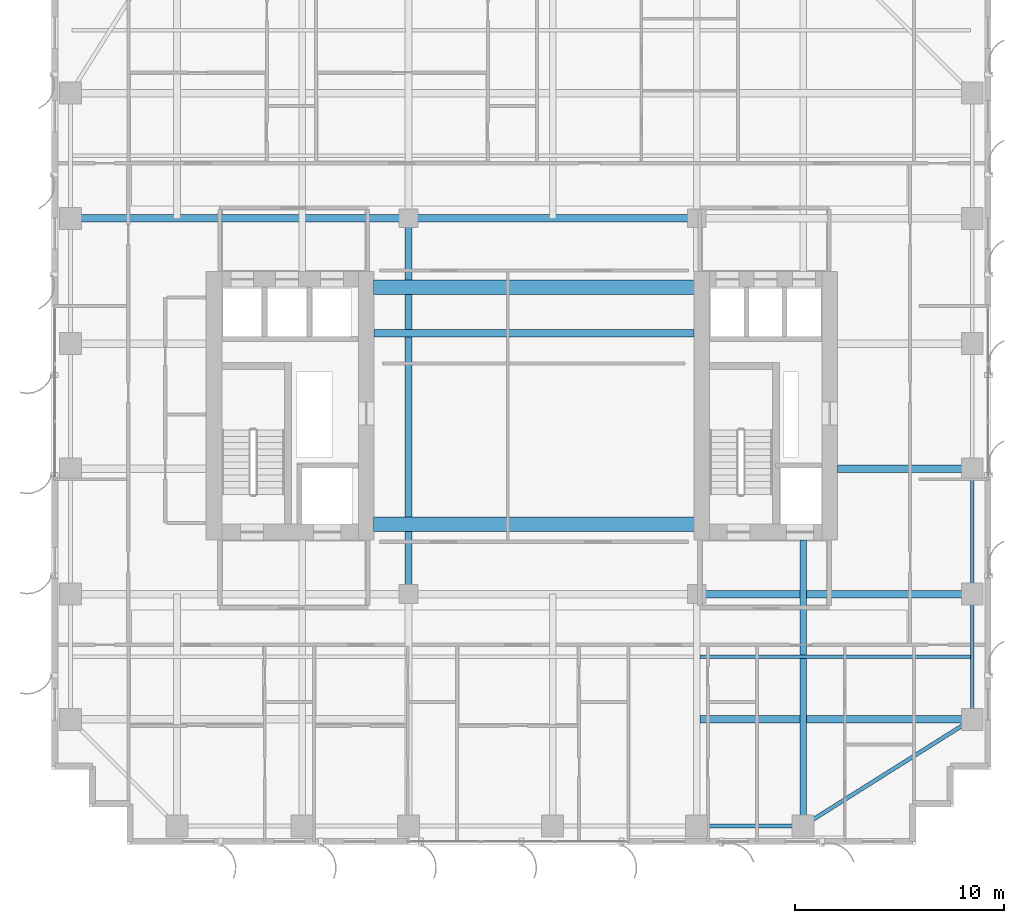
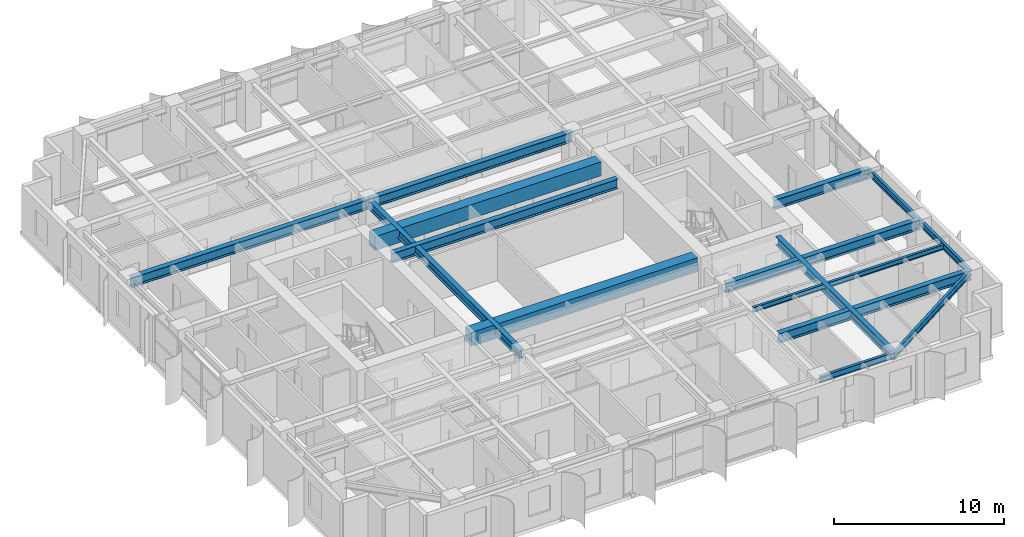
# One storey, part 5 of 22: 15 beams.
"""IFC4 building model written with IfcOpenShell, lengths in metres."""

from ifc_helpers import new_model, si_unit, direction, frame, origin, origin_2d, place, context, subcontext, project, spatial, rectangle, i_section, extrude, source, transform, mapped, material, material_profile, profile_set, type_object, element, save


model = new_model("IFC4")

# Units and contexts
model_context = context("Model", 3, precision=1e-05, world=origin(), true_north=direction((0.0, 1.0)))
body_context = subcontext(model_context, "Body", "Model", "MODEL_VIEW")
ifc_project = project(units=[si_unit("LENGTHUNIT", "METRE"), si_unit("AREAUNIT", "SQUARE_METRE"), si_unit("VOLUMEUNIT", "CUBIC_METRE"), si_unit("PLANEANGLEUNIT", "RADIAN"), si_unit("MASSUNIT", "GRAM", prefix="KILO")], contexts=[model_context])

# Site, building, storey
site_placement = place(None, origin())
site = spatial("IfcSite", under=ifc_project, at=site_placement, CompositionType="ELEMENT")
building_placement = place(site_placement, origin())
building = spatial("IfcBuilding", under=site, at=building_placement, Name="Khoralis Quay Care Tower", CompositionType="ELEMENT")
storey_placement = place(building_placement, frame((0.0, 0.0, 98.10009765625)))
storey = spatial("IfcBuildingStorey", under=building, at=storey_placement, Name="L25", CompositionType="ELEMENT", Elevation=98.10009765625)

# Beams
ifc_material_1 = material(Name="Concrete C80/95", Category="concrete")
ifc_material_profile_1 = material_profile(ifc_material_1, rectangle(XDim=0.699951171875, YDim=1.0, at=origin_2d()), Name="Concrete C80/95")
ifc_profile_set_1 = profile_set([ifc_material_profile_1], Name="Concrete C80/95")
beam_type_1 = type_object("IfcBeamType", Name="CB-RC700X1000", PredefinedType="LINTEL", material=ifc_profile_set_1)
shared_shape_1 = source(origin(), body_context, "Body", "SweptSolid", [
    extrude(rectangle(XDim=0.699951171875, YDim=1.0, at=origin_2d()), origin(), (0.0, 0.0, 1.0), 15.380126953125),
])
for number, where, z_axis, x_axis, name in (
    (1, (15.419921875, 15.35009765625, 2.83984375), (1.0, 0.0, 0.0), (0.0, 1.0, 0.0), "L25 South Core Coupling Lintel"),
    (2, (15.419921875, 26.699951171875, 2.83984375), (1.0, 0.0, 0.0), (0.0, 1.0, 0.0), "L25 North Core Coupling Lintel"),
):
    element("IfcBeam", number, at=place(storey_placement, frame(where, z_axis=z_axis, x_axis=x_axis)), inside=storey, type_object=beam_type_1, Name=name, PredefinedType="LINTEL", context=body_context, shape_type="MappedRepresentation", body=[
        mapped(shared_shape_1, transform((0.0, 0.0, 0.0), scale=1.0)),
    ])
ifc_material_2 = material(Name="Steel S355", Category="steel")
ifc_material_profile_2 = material_profile(ifc_material_2, i_section(OverallWidth=0.18994140625, OverallDepth=0.449951171875, WebThickness=0.009521484375, FlangeThickness=0.0146484375, FilletRadius=0.02099609375, at=origin_2d()), Name="Steel S355")
ifc_profile_set_2 = profile_set([ifc_material_profile_2], Name="Steel S355")
beam_type_2 = type_object("IfcBeamType", Name="BM-IPE450", PredefinedType="SPANDREL", material=ifc_profile_set_2)
shared_shape_2 = source(origin(), body_context, "Body", "SweptSolid", [
    extrude(i_section(OverallWidth=0.18994140625, OverallDepth=0.449951171875, WebThickness=0.009521484375, FlangeThickness=0.0146484375, FilletRadius=0.02099609375, at=origin_2d()), origin(), (0.0, 0.0, 1.0), 6.0),
])
for number, where, z_axis, x_axis, name in (
    (3, (44.10009765625, 6.0, 3.114990234375), (0.0, 1.0, 0.0), (-1.0, 0.0, 0.0), "BM-TSP-L25-16"),
    (4, (44.10009765625, 12.0, 3.114990234375), (0.0, 1.0, 0.0), (-1.0, 0.0, 0.0), "BM-TSP-L25-17"),
):
    element("IfcBeam", number, at=place(storey_placement, frame(where, z_axis=z_axis, x_axis=x_axis)), inside=storey, type_object=beam_type_2, Name=name, PredefinedType="SPANDREL", context=body_context, shape_type="MappedRepresentation", body=[
        mapped(shared_shape_2, transform((0.0, 0.0, 0.0), scale=1.0)),
    ])
shared_shape_3 = source(origin(), body_context, "Body", "SweptSolid", [
    extrude(i_section(OverallWidth=0.18994140625, OverallDepth=0.449951171875, WebThickness=0.009521484375, FlangeThickness=0.0146484375, FilletRadius=0.02099609375, at=origin_2d()), origin(), (0.0, 0.0, 1.0), 5.10009765625),
])
beam_1_placement = place(storey_placement, frame((30.89990234375, 0.89990234375, 3.114990234375), z_axis=(1.0, 0.0, 0.0), x_axis=(0.0, 1.0, 0.0)))
element("IfcBeam", 5, at=beam_1_placement, inside=storey, type_object=beam_type_2, Name="BM-TSP-L25-05", PredefinedType="SPANDREL", context=body_context, shape_type="MappedRepresentation", body=[
    mapped(shared_shape_3, transform((0.0, 0.0, 0.0), scale=1.0)),
])
ifc_material_profile_3 = material_profile(ifc_material_2, i_section(OverallWidth=0.35498046875, OverallDepth=0.695068359375, WebThickness=0.015380859375, FlangeThickness=0.02490234375, FilletRadius=0.02001953125, at=origin_2d()), Name="Steel S355")
ifc_profile_set_3 = profile_set([ifc_material_profile_3], Name="Steel S355")
beam_type_3 = type_object("IfcBeamType", Name="BM-W690X217", PredefinedType="BEAM", material=ifc_profile_set_3)
shared_shape_4 = source(origin(), body_context, "Body", "SweptSolid", [
    extrude(i_section(OverallWidth=0.35498046875, OverallDepth=0.695068359375, WebThickness=0.015380859375, FlangeThickness=0.02490234375, FilletRadius=0.02001953125, at=origin_2d()), origin(), (0.0, 0.0, 1.0), 16.2001953125),
])
beam_2_placement = place(storey_placement, frame((0.89990234375, 30.0, 2.992431640625), z_axis=(1.0, 0.0, 0.0), x_axis=(0.0, 1.0, 0.0)))
element("IfcBeam", 6, at=beam_2_placement, inside=storey, type_object=beam_type_3, Name="BM-TGXW-L25-300", PredefinedType="BEAM", context=body_context, shape_type="MappedRepresentation", body=[
    mapped(shared_shape_4, transform((0.0, 0.0, 0.0), scale=1.0)),
])
shared_shape_5 = source(origin(), body_context, "Body", "SweptSolid", [
    extrude(i_section(OverallWidth=0.35498046875, OverallDepth=0.695068359375, WebThickness=0.015380859375, FlangeThickness=0.02490234375, FilletRadius=0.02001953125, at=origin_2d()), origin(), (0.0, 0.0, 1.0), 13.7998046875),
])
beam_3_placement = place(storey_placement, frame((17.10009765625, 30.0, 2.992431640625), z_axis=(1.0, 0.0, 0.0), x_axis=(0.0, 1.0, 0.0)))
element("IfcBeam", 7, at=beam_3_placement, inside=storey, type_object=beam_type_3, Name="BM-TGCC-L25-300", PredefinedType="BEAM", context=body_context, shape_type="MappedRepresentation", body=[
    mapped(shared_shape_5, transform((0.0, 0.0, 0.0), scale=1.0)),
])
ifc_material_profile_4 = material_profile(ifc_material_2, i_section(OverallWidth=0.324951171875, OverallDepth=0.615966796875, WebThickness=0.013916015625, FlangeThickness=0.021484375, FilletRadius=0.01806640625, at=origin_2d()), Name="Steel S355")
ifc_profile_set_4 = profile_set([ifc_material_profile_4], Name="Steel S355")
beam_type_4 = type_object("IfcBeamType", Name="BM-W610X174", PredefinedType="BEAM", material=ifc_profile_set_4)
shared_shape_6 = source(origin(), body_context, "Body", "SweptSolid", [
    extrude(i_section(OverallWidth=0.324951171875, OverallDepth=0.615966796875, WebThickness=0.013916015625, FlangeThickness=0.021484375, FilletRadius=0.01806640625, at=origin_2d()), origin(), (0.0, 0.0, 1.0), 18.0),
])
beam_4_placement = place(storey_placement, frame((17.10009765625, 12.0, 3.031982421875), z_axis=(0.0, 1.0, 0.0), x_axis=(-1.0, 0.0, 0.0)))
element("IfcBeam", 8, at=beam_4_placement, inside=storey, type_object=beam_type_4, Name="BM-TGSW-L25", PredefinedType="BEAM", context=body_context, shape_type="MappedRepresentation", body=[
    mapped(shared_shape_6, transform((0.0, 0.0, 0.0), scale=1.0)),
])
shared_shape_7 = source(origin(), body_context, "Body", "SweptSolid", [
    extrude(i_section(OverallWidth=0.18994140625, OverallDepth=0.449951171875, WebThickness=0.009521484375, FlangeThickness=0.0146484375, FilletRadius=0.02099609375, at=origin_2d()), origin(), (0.0, 0.0, 1.0), 9.572021484375),
])
beam_5_placement = place(storey_placement, frame((36.0, 0.89990234375, 3.114990234375), z_axis=(0.846231136359, 0.532815975602, 0.0), x_axis=(-0.532815975602, 0.846231136359, 0.0)))
element("IfcBeam", 9, at=beam_5_placement, inside=storey, type_object=beam_type_2, Name="BM-TCR-L25-22", PredefinedType="SPANDREL", context=body_context, shape_type="MappedRepresentation", body=[
    mapped(shared_shape_7, transform((0.0, 0.0, 0.0), scale=1.0)),
])
shared_shape_8 = source(origin(), body_context, "Body", "SweptSolid", [
    extrude(i_section(OverallWidth=0.35498046875, OverallDepth=0.695068359375, WebThickness=0.015380859375, FlangeThickness=0.02490234375, FilletRadius=0.02001953125, at=origin_2d()), origin(), (0.0, 0.0, 1.0), 13.049560546875),
])
beam_6_placement = place(storey_placement, frame((31.050537109375, 6.0, 2.992431640625), z_axis=(1.0, 0.0, 0.0), x_axis=(0.0, 1.0, 0.0)))
element("IfcBeam", 10, at=beam_6_placement, inside=storey, type_object=beam_type_3, Name="BM-TGXE-L25-60", PredefinedType="BEAM", context=body_context, shape_type="MappedRepresentation", body=[
    mapped(shared_shape_8, transform((0.0, 0.0, 0.0), scale=1.0)),
])
shared_shape_9 = source(origin(), body_context, "Body", "SweptSolid", [
    extrude(i_section(OverallWidth=0.35498046875, OverallDepth=0.695068359375, WebThickness=0.015380859375, FlangeThickness=0.02490234375, FilletRadius=0.02001953125, at=origin_2d()), origin(), (0.0, 0.0, 1.0), 13.2001953125),
])
beam_7_placement = place(storey_placement, frame((30.89990234375, 12.0, 2.992431640625), z_axis=(1.0, 0.0, 0.0), x_axis=(0.0, 1.0, 0.0)))
element("IfcBeam", 11, at=beam_7_placement, inside=storey, type_object=beam_type_3, Name="BM-TGXE-L25-120", PredefinedType="BEAM", context=body_context, shape_type="MappedRepresentation", body=[
    mapped(shared_shape_9, transform((0.0, 0.0, 0.0), scale=1.0)),
])
shared_shape_10 = source(origin(), body_context, "Body", "SweptSolid", [
    extrude(i_section(OverallWidth=0.35498046875, OverallDepth=0.695068359375, WebThickness=0.015380859375, FlangeThickness=0.02490234375, FilletRadius=0.02001953125, at=origin_2d()), origin(), (0.0, 0.0, 1.0), 6.4521484375),
])
beam_8_placement = place(storey_placement, frame((37.64794921875, 18.0, 2.992431640625), z_axis=(1.0, 0.0, 0.0), x_axis=(0.0, 1.0, 0.0)))
element("IfcBeam", 12, at=beam_8_placement, inside=storey, type_object=beam_type_3, Name="BM-TGXE-L25-180", PredefinedType="BEAM", context=body_context, shape_type="MappedRepresentation", body=[
    mapped(shared_shape_10, transform((0.0, 0.0, 0.0), scale=1.0)),
])
shared_shape_11 = source(origin(), body_context, "Body", "SweptSolid", [
    extrude(i_section(OverallWidth=0.35498046875, OverallDepth=0.695068359375, WebThickness=0.015380859375, FlangeThickness=0.02490234375, FilletRadius=0.02001953125, at=origin_2d()), origin(), (0.0, 0.0, 1.0), 15.323974609375),
])
beam_9_placement = place(storey_placement, frame((15.447998046875, 24.5, 2.992431640625), z_axis=(1.0, 0.0, 0.0), x_axis=(0.0, 1.0, 0.0)))
element("IfcBeam", 13, at=beam_9_placement, inside=storey, type_object=beam_type_3, Name="BM-TGCC-L25-245", PredefinedType="BEAM", context=body_context, shape_type="MappedRepresentation", body=[
    mapped(shared_shape_11, transform((0.0, 0.0, 0.0), scale=1.0)),
])
shared_shape_12 = source(origin(), body_context, "Body", "SweptSolid", [
    extrude(i_section(OverallWidth=0.324951171875, OverallDepth=0.615966796875, WebThickness=0.013916015625, FlangeThickness=0.021484375, FilletRadius=0.01806640625, at=origin_2d()), origin(), (0.0, 0.0, 1.0), 13.7021484375),
])
beam_10_placement = place(storey_placement, frame((36.0, 0.89990234375, 3.031982421875), z_axis=(0.0, 1.0, 0.0), x_axis=(-1.0, 0.0, 0.0)))
element("IfcBeam", 14, at=beam_10_placement, inside=storey, type_object=beam_type_4, Name="BM-TGYS-L25-360", PredefinedType="BEAM", context=body_context, shape_type="MappedRepresentation", body=[
    mapped(shared_shape_12, transform((0.0, 0.0, 0.0), scale=1.0)),
])
ifc_material_profile_5 = material_profile(ifc_material_2, i_section(OverallWidth=0.1708984375, OverallDepth=0.35498046875, WebThickness=0.007080078125, FlangeThickness=0.01171875, FilletRadius=0.012939453125, at=origin_2d()), Name="Steel S355")
ifc_profile_set_5 = profile_set([ifc_material_profile_5], Name="Steel S355")
beam_type_5 = type_object("IfcBeamType", Name="BM-W360X51", PredefinedType="JOIST", material=ifc_profile_set_5)
shared_shape_13 = source(origin(), body_context, "Body", "SweptSolid", [
    extrude(i_section(OverallWidth=0.1708984375, OverallDepth=0.35498046875, WebThickness=0.007080078125, FlangeThickness=0.01171875, FilletRadius=0.012939453125, at=origin_2d()), origin(), (0.0, 0.0, 1.0), 12.968505859375),
])
beam_11_placement = place(storey_placement, frame((31.050537109375, 9.0, 3.162353515625), z_axis=(1.0, 0.0, 0.0), x_axis=(0.0, 1.0, 0.0)))
element("IfcBeam", 15, at=beam_11_placement, inside=storey, type_object=beam_type_5, Name="BM-TJS-L25-26", PredefinedType="JOIST", context=body_context, shape_type="MappedRepresentation", body=[
    mapped(shared_shape_13, transform((0.0, 0.0, 0.0), scale=1.0)),
])

save(model, "model.ifc")
